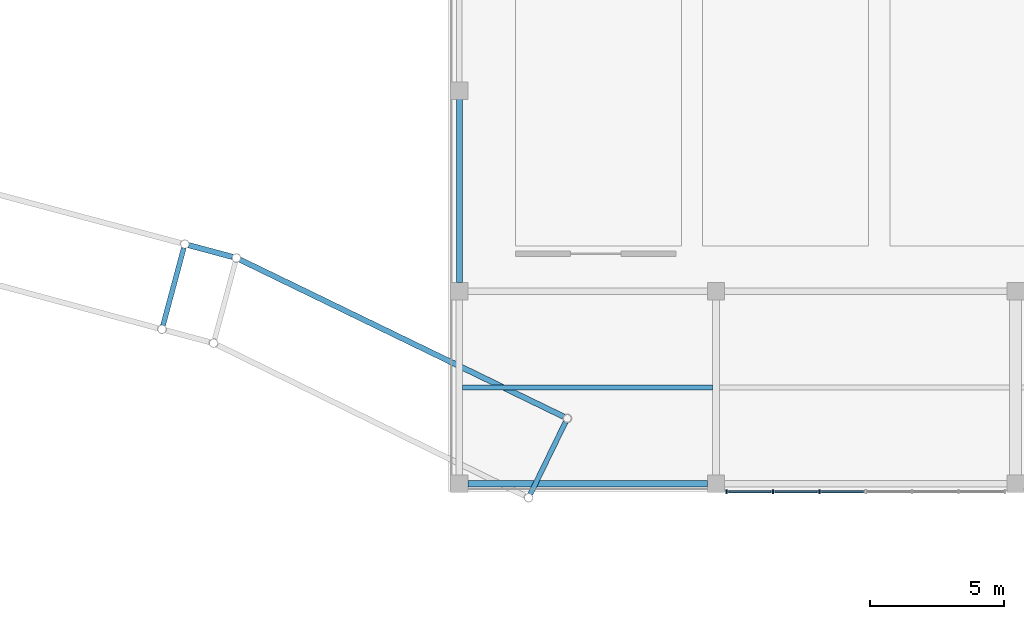
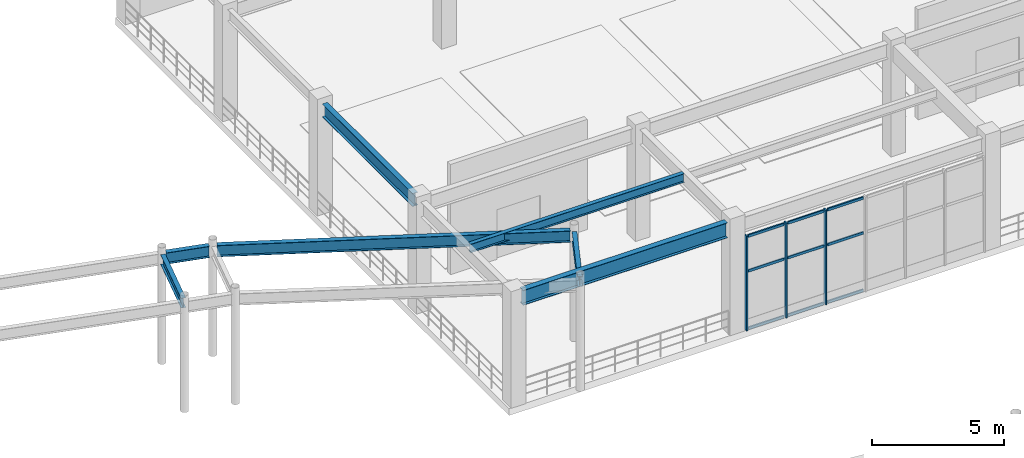
# One storey, part 32 of 93: 12 members, 7 beams, 1 element without a shape of its own.
"""IFC4 building model written with IfcOpenShell, lengths in metres."""

from ifc_helpers import new_model, si_unit, direction, frame, origin, origin_2d, place, context, subcontext, project, spatial, rectangle, i_section, extrude, material, material_profile, profile_set, type_object, element, aggregate, save


model = new_model("IFC4")

# Units and contexts
model_context = context("Model", 3, precision=1e-05, world=origin(), true_north=direction((0.0, 1.0)))
body_context = subcontext(model_context, "Body", "Model", "MODEL_VIEW")
ifc_project = project(units=[si_unit("LENGTHUNIT", "METRE"), si_unit("AREAUNIT", "SQUARE_METRE"), si_unit("VOLUMEUNIT", "CUBIC_METRE"), si_unit("PLANEANGLEUNIT", "RADIAN"), si_unit("MASSUNIT", "GRAM", prefix="KILO")], contexts=[model_context])

# Site, building, storey
site_placement = place(None, origin())
site = spatial("IfcSite", under=ifc_project, at=site_placement, CompositionType="ELEMENT")
building_placement = place(site_placement, origin())
building = spatial("IfcBuilding", under=site, at=building_placement, Name="Cinderbank Siding Concert Hall", CompositionType="ELEMENT")
storey_placement = place(building_placement, origin())
storey = spatial("IfcBuildingStorey", under=building, at=storey_placement, Name="L01", CompositionType="ELEMENT", Elevation=0.0)

# Beams
ifc_material_1 = material(Name="Structural steel AS/NZS 3679.1 Grade 350 (340 MPa)", Category="steel")
ifc_material_profile_1 = material_profile(ifc_material_1, i_section(OverallWidth=0.18994140625, OverallDepth=0.45751953125, WebThickness=0.009033203125, FlangeThickness=0.014404296875, at=origin_2d()), Name="460UB74.6", Category="LoadBearing")
ifc_profile_set_1 = profile_set([ifc_material_profile_1], Name="Structural steel AS/NZS 3679.1 Grade 350 (340 MPa)")
beam_type_1 = type_object("IfcBeamType", Name="BM-UB460 460UB74.6", PredefinedType="BEAM", material=ifc_profile_set_1)
beam_1_placement = place(storey_placement, frame((108.088134765625, 97.412353515625, 4.871337890625), z_axis=(-0.258861178381, -0.965914535726, 0.0), x_axis=(0.965914535726, -0.258861178381, 0.0)))
element("IfcBeam", 1, at=beam_1_placement, inside=storey, type_object=beam_type_1, Name="L01 Beam BM-UB460 #80", PredefinedType="BEAM", context=body_context, shape_type="SweptSolid", body=[
    extrude(i_section(OverallWidth=0.18994140625, OverallDepth=0.45751953125, WebThickness=0.009033203125, FlangeThickness=0.014404296875, at=origin_2d()), origin(), (0.0, 0.0, 1.0), 2.99169921875),
])
beam_2_placement = place(storey_placement, frame((122.368408203125, 90.902587890625, 4.871337890625), z_axis=(-0.438478287623, -0.898741782317, 0.0), x_axis=(0.898741782317, -0.438478287623, 0.0)))
element("IfcBeam", 2, at=beam_2_placement, inside=storey, type_object=beam_type_1, Name="L01 Beam BM-UB460 #86", PredefinedType="BEAM", context=body_context, shape_type="SweptSolid", body=[
    extrude(i_section(OverallWidth=0.18994140625, OverallDepth=0.45751953125, WebThickness=0.009033203125, FlangeThickness=0.014404296875, at=origin_2d()), origin(), (0.0, 0.0, 1.0), 2.9921875),
])
ifc_material_profile_2 = material_profile(ifc_material_1, i_section(OverallWidth=0.208984375, OverallDepth=0.5283203125, WebThickness=0.009521484375, FlangeThickness=0.01318359375, at=origin_2d()), Name="530UB82.0", Category="LoadBearing")
ifc_profile_set_2 = profile_set([ifc_material_profile_2], Name="Structural steel AS/NZS 3679.1 Grade 350 (340 MPa)")
beam_type_2 = type_object("IfcBeamType", Name="BM-UB530 530UB82.0", PredefinedType="BEAM", material=ifc_profile_set_2)
beam_3_placement = place(storey_placement, frame((108.276611328125, 97.521240234375, 4.8359375), z_axis=(0.966004687382, -0.25852455194, 0.0), x_axis=(0.25852455194, 0.966004687382, 0.0)))
element("IfcBeam", 3, at=beam_3_placement, inside=storey, type_object=beam_type_2, Name="L01 Beam BM-UB530 #81", PredefinedType="BEAM", context=body_context, shape_type="SweptSolid", body=[
    extrude(i_section(OverallWidth=0.208984375, OverallDepth=0.5283203125, WebThickness=0.009521484375, FlangeThickness=0.01318359375, at=origin_2d()), origin(), (0.0, 0.0, 1.0), 1.6923828125),
])
beam_4_placement = place(storey_placement, frame((110.198486328125, 96.976806640625, 4.8359375), z_axis=(0.89974368775, -0.436418716779, 0.0), x_axis=(0.436418716779, 0.89974368775, 0.0)))
element("IfcBeam", 4, at=beam_4_placement, inside=storey, type_object=beam_type_2, Name="L01 Beam BM-UB530 #84", PredefinedType="BEAM", context=body_context, shape_type="SweptSolid", body=[
    extrude(i_section(OverallWidth=0.208984375, OverallDepth=0.5283203125, WebThickness=0.009521484375, FlangeThickness=0.01318359375, at=origin_2d()), origin(), (0.0, 0.0, 1.0), 13.447265625),
])
ifc_material_profile_3 = material_profile(ifc_material_1, i_section(OverallWidth=0.22802734375, OverallDepth=0.602294921875, WebThickness=0.010498046875, FlangeThickness=0.014892578125, at=origin_2d()), Name="610UB101", Category="LoadBearing")
ifc_profile_set_3 = profile_set([ifc_material_profile_3], Name="Structural steel AS/NZS 3679.1 Grade 350 (340 MPa)")
beam_type_3 = type_object("IfcBeamType", Name="BM-UB610 610UB101", PredefinedType="BEAM", material=ifc_profile_set_3)
beam_5_placement = place(storey_placement, frame((118.39990234375, 96.116943359375, 4.82080078125), z_axis=(0.0, 1.0, 0.0), x_axis=(-1.0, 0.0, 0.0)))
element("IfcBeam", 5, at=beam_5_placement, inside=storey, type_object=beam_type_3, Name="L01 Beam BM-UB610 #1317", PredefinedType="BEAM", context=body_context, shape_type="SweptSolid", body=[
    extrude(i_section(OverallWidth=0.22802734375, OverallDepth=0.602294921875, WebThickness=0.010498046875, FlangeThickness=0.014892578125, at=origin_2d()), origin(), (0.0, 0.0, 1.0), 6.865966796875),
])
ifc_material_2 = material(Name="Structural steel welded plate section AS/NZS 3679.2 / AS/NZS 3678 Grade 350 (340 MPa)", Category="steel")
ifc_material_profile_4 = material_profile(ifc_material_2, i_section(OverallWidth=0.25, OverallDepth=0.699951171875, WebThickness=0.010009765625, FlangeThickness=0.01611328125, at=origin_2d()), Name="700WB130", Category="LoadBearing")
ifc_profile_set_4 = profile_set([ifc_material_profile_4], Name="Structural steel welded plate section AS/NZS 3679.2 / AS/NZS 3678 Grade 350 (340 MPa)")
beam_type_4 = type_object("IfcBeamType", Name="BM-WB700 700WB130", PredefinedType="BEAM", material=ifc_profile_set_4)
beam_6_placement = place(storey_placement, frame((118.717041015625, 88.60009765625, 4.77197265625), z_axis=(1.0, 0.0, 0.0), x_axis=(0.0, 1.0, 0.0)))
element("IfcBeam", 6, at=beam_6_placement, inside=storey, type_object=beam_type_4, Name="L01 Beam BM-WB700 #1314", PredefinedType="BEAM", context=body_context, shape_type="SweptSolid", body=[
    extrude(i_section(OverallWidth=0.25, OverallDepth=0.699951171875, WebThickness=0.010009765625, FlangeThickness=0.01611328125, at=origin_2d()), origin(), (0.0, 0.0, 1.0), 8.966064453125),
])

# Curtain wall, members
ifc_material_3 = material(Name="Anodised aluminium alloy 6063-T6", Category="aluminium")
curtain_wall_type = type_object("IfcCurtainWallType", Name="CW-16 Unitised Acoustic Curtain Wall 9200x3800", PredefinedType="NOTDEFINED", material=ifc_material_3)
curtain_wall_placement = place(storey_placement, origin())
curtain_wall = element("IfcCurtainWall", 7, at=curtain_wall_placement, inside=storey, type_object=curtain_wall_type, Name="L01 Curtain Wall CW-16 #150", PredefinedType="NOTDEFINED")
ifc_material_profile_5 = material_profile(ifc_material_3, rectangle(XDim=0.06005859375, YDim=0.159912109375, at=origin_2d()), Name="ALU-MULL-60x160", Category="LoadBearing")
ifc_profile_set_5 = profile_set([ifc_material_profile_5], Name="Anodised aluminium alloy 6063-T6")
member_type_1 = type_object("IfcMemberType", Name="CW-ML1 Mullion 60x160", PredefinedType="MULLION", material=ifc_profile_set_5)
member_1_placement = place(storey_placement, frame((128.389892578125, 88.300048828125, 0.0), z_axis=(0.0, 0.0, 1.0), x_axis=(1.0, 0.0, 0.0)))
member_1 = element("IfcMember", 8, at=member_1_placement, type_object=member_type_1, Name="CW-L01-150 Mullion 0", PredefinedType="MULLION", context=body_context, shape_type="SweptSolid", body=[
    extrude(rectangle(XDim=0.06005859375, YDim=0.159912109375, at=origin_2d()), origin(), (0.0, 0.0, 1.0), 4.39990234375),
])
member_2_placement = place(storey_placement, frame((130.126708984375, 88.300048828125, 0.0), z_axis=(0.0, 0.0, 1.0), x_axis=(1.0, 0.0, 0.0)))
member_2 = element("IfcMember", 9, at=member_2_placement, type_object=member_type_1, Name="CW-L01-150 Mullion 1", PredefinedType="MULLION", context=body_context, shape_type="SweptSolid", body=[
    extrude(rectangle(XDim=0.06005859375, YDim=0.159912109375, at=origin_2d()), origin(), (0.0, 0.0, 1.0), 4.39990234375),
])
member_3_placement = place(storey_placement, frame((131.86328125, 88.300048828125, 0.0), z_axis=(0.0, 0.0, 1.0), x_axis=(1.0, 0.0, 0.0)))
member_3 = element("IfcMember", 10, at=member_3_placement, type_object=member_type_1, Name="CW-L01-150 Mullion 2", PredefinedType="MULLION", context=body_context, shape_type="SweptSolid", body=[
    extrude(rectangle(XDim=0.06005859375, YDim=0.159912109375, at=origin_2d()), origin(), (0.0, 0.0, 1.0), 4.39990234375),
])
ifc_material_profile_6 = material_profile(ifc_material_3, rectangle(XDim=0.06005859375, YDim=0.1201171875, at=origin_2d()), Name="ALU-TRAN-60x120", Category="LoadBearing")
ifc_profile_set_6 = profile_set([ifc_material_profile_6], Name="Anodised aluminium alloy 6063-T6")
member_type_2 = type_object("IfcMemberType", Name="CW-TR1 Transom 60x120", PredefinedType="USERDEFINED", material=ifc_profile_set_6)
member_4_placement = place(storey_placement, frame((128.476806640625, 88.300048828125, 0.06005859375), z_axis=(1.0, 0.0, 0.0), x_axis=(0.0, 1.0, 0.0)))
member_4 = element("IfcMember", 11, at=member_4_placement, type_object=member_type_2, Name="CW-L01-150 Transom 0-0", ObjectType="TRANSOM", PredefinedType="USERDEFINED", context=body_context, shape_type="SweptSolid", body=[
    extrude(rectangle(XDim=0.06005859375, YDim=0.1201171875, at=origin_2d()), origin(), (0.0, 0.0, 1.0), 1.56298828125),
])
member_5_placement = place(storey_placement, frame((128.476806640625, 88.300048828125, 2.72802734375), z_axis=(1.0, 0.0, 0.0), x_axis=(0.0, 1.0, 0.0)))
member_5 = element("IfcMember", 12, at=member_5_placement, type_object=member_type_2, Name="CW-L01-150 Transom 0-1", ObjectType="TRANSOM", PredefinedType="USERDEFINED", context=body_context, shape_type="SweptSolid", body=[
    extrude(rectangle(XDim=0.06005859375, YDim=0.1201171875, at=origin_2d()), origin(), (0.0, 0.0, 1.0), 1.56298828125),
])
member_6_placement = place(storey_placement, frame((128.476806640625, 88.300048828125, 4.340087890625), z_axis=(1.0, 0.0, 0.0), x_axis=(0.0, 1.0, 0.0)))
member_6 = element("IfcMember", 13, at=member_6_placement, type_object=member_type_2, Name="CW-L01-150 Transom 0-2", ObjectType="TRANSOM", PredefinedType="USERDEFINED", context=body_context, shape_type="SweptSolid", body=[
    extrude(rectangle(XDim=0.06005859375, YDim=0.1201171875, at=origin_2d()), origin(), (0.0, 0.0, 1.0), 1.56298828125),
])
member_7_placement = place(storey_placement, frame((130.21337890625, 88.300048828125, 0.06005859375), z_axis=(1.0, 0.0, 0.0), x_axis=(0.0, 1.0, 0.0)))
member_7 = element("IfcMember", 14, at=member_7_placement, type_object=member_type_2, Name="CW-L01-150 Transom 1-0", ObjectType="TRANSOM", PredefinedType="USERDEFINED", context=body_context, shape_type="SweptSolid", body=[
    extrude(rectangle(XDim=0.06005859375, YDim=0.1201171875, at=origin_2d()), origin(), (0.0, 0.0, 1.0), 1.563232421875),
])
member_8_placement = place(storey_placement, frame((130.21337890625, 88.300048828125, 2.72802734375), z_axis=(1.0, 0.0, 0.0), x_axis=(0.0, 1.0, 0.0)))
member_8 = element("IfcMember", 15, at=member_8_placement, type_object=member_type_2, Name="CW-L01-150 Transom 1-1", ObjectType="TRANSOM", PredefinedType="USERDEFINED", context=body_context, shape_type="SweptSolid", body=[
    extrude(rectangle(XDim=0.06005859375, YDim=0.1201171875, at=origin_2d()), origin(), (0.0, 0.0, 1.0), 1.563232421875),
])
member_9_placement = place(storey_placement, frame((130.21337890625, 88.300048828125, 4.340087890625), z_axis=(1.0, 0.0, 0.0), x_axis=(0.0, 1.0, 0.0)))
member_9 = element("IfcMember", 16, at=member_9_placement, type_object=member_type_2, Name="CW-L01-150 Transom 1-2", ObjectType="TRANSOM", PredefinedType="USERDEFINED", context=body_context, shape_type="SweptSolid", body=[
    extrude(rectangle(XDim=0.06005859375, YDim=0.1201171875, at=origin_2d()), origin(), (0.0, 0.0, 1.0), 1.563232421875),
])
member_10_placement = place(storey_placement, frame((131.9501953125, 88.300048828125, 0.06005859375), z_axis=(1.0, 0.0, 0.0), x_axis=(0.0, 1.0, 0.0)))
member_10 = element("IfcMember", 17, at=member_10_placement, type_object=member_type_2, Name="CW-L01-150 Transom 2-0", ObjectType="TRANSOM", PredefinedType="USERDEFINED", context=body_context, shape_type="SweptSolid", body=[
    extrude(rectangle(XDim=0.06005859375, YDim=0.1201171875, at=origin_2d()), origin(), (0.0, 0.0, 1.0), 1.56298828125),
])
member_11_placement = place(storey_placement, frame((131.9501953125, 88.300048828125, 2.72802734375), z_axis=(1.0, 0.0, 0.0), x_axis=(0.0, 1.0, 0.0)))
member_11 = element("IfcMember", 18, at=member_11_placement, type_object=member_type_2, Name="CW-L01-150 Transom 2-1", ObjectType="TRANSOM", PredefinedType="USERDEFINED", context=body_context, shape_type="SweptSolid", body=[
    extrude(rectangle(XDim=0.06005859375, YDim=0.1201171875, at=origin_2d()), origin(), (0.0, 0.0, 1.0), 1.56298828125),
])
member_12_placement = place(storey_placement, frame((131.9501953125, 88.300048828125, 4.340087890625), z_axis=(1.0, 0.0, 0.0), x_axis=(0.0, 1.0, 0.0)))
member_12 = element("IfcMember", 19, at=member_12_placement, type_object=member_type_2, Name="CW-L01-150 Transom 2-2", ObjectType="TRANSOM", PredefinedType="USERDEFINED", context=body_context, shape_type="SweptSolid", body=[
    extrude(rectangle(XDim=0.06005859375, YDim=0.1201171875, at=origin_2d()), origin(), (0.0, 0.0, 1.0), 1.56298828125),
])
aggregate(curtain_wall, [member_1, member_2, member_3, member_4, member_5, member_6, member_7, member_8, member_9, member_10, member_11, member_12])

# Beam
ifc_material_profile_7 = material_profile(ifc_material_1, i_section(OverallWidth=0.177978515625, OverallDepth=0.402587890625, WebThickness=0.007568359375, FlangeThickness=0.010986328125, at=origin_2d()), Name="410UB53.7", Category="LoadBearing")
ifc_profile_set_7 = profile_set([ifc_material_profile_7], Name="Structural steel AS/NZS 3679.1 Grade 350 (340 MPa)")
beam_type_5 = type_object("IfcBeamType", Name="JS-UB410 410UB53.7", PredefinedType="JOIST", material=ifc_profile_set_7)
beam_7_placement = place(storey_placement, frame((118.51708984375, 92.199951171875, 4.920654296875), z_axis=(1.0, 0.0, 0.0), x_axis=(0.0, 1.0, 0.0)))
element("IfcBeam", 20, at=beam_7_placement, inside=storey, type_object=beam_type_5, Name="L01 Beam JS-UB410 #1454", PredefinedType="JOIST", context=body_context, shape_type="SweptSolid", body=[
    extrude(i_section(OverallWidth=0.177978515625, OverallDepth=0.402587890625, WebThickness=0.007568359375, FlangeThickness=0.010986328125, at=origin_2d()), origin(), (0.0, 0.0, 1.0), 9.365966796875),
])

save(model, "model.ifc")
